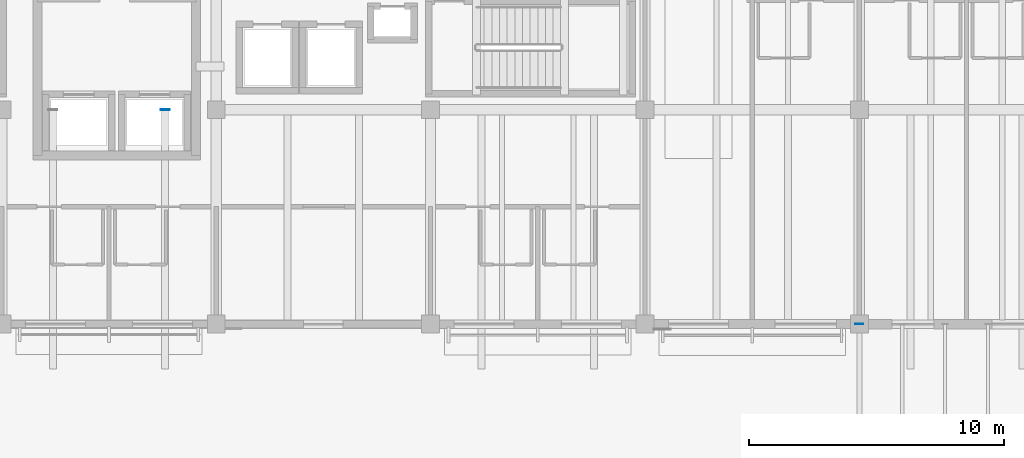
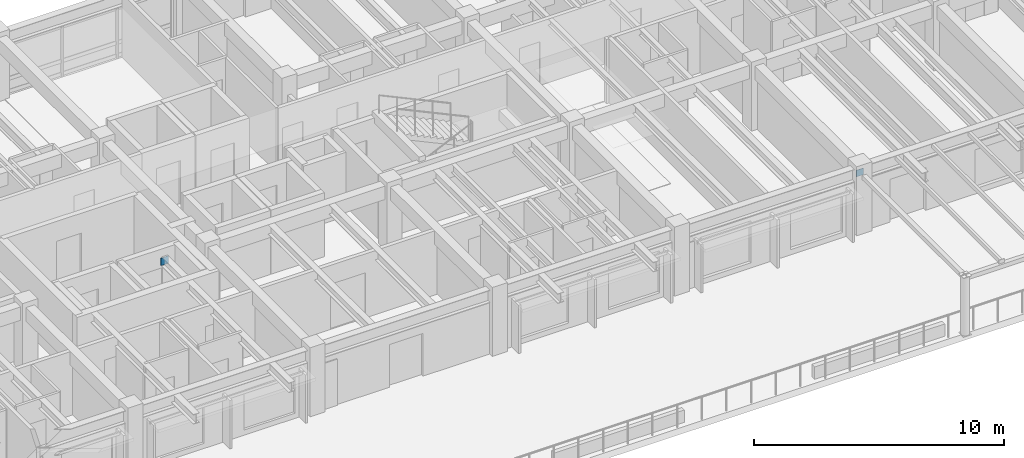
# One storey, part 73 of 111: 2 plates.
"""IFC4 building model written with IfcOpenShell, lengths in metres."""

from ifc_helpers import new_model, si_unit, direction, frame, origin, origin_2d, place, context, subcontext, project, spatial, rectangle, extrude, material, layer, layer_set, type_object, element, save


model = new_model("IFC4")

# Units and contexts
model_context = context("Model", 3, precision=1e-05, world=origin(), true_north=direction((0.0, 1.0)))
body_context = subcontext(model_context, "Body", "Model", "MODEL_VIEW")
ifc_project = project(units=[si_unit("LENGTHUNIT", "METRE"), si_unit("AREAUNIT", "SQUARE_METRE"), si_unit("VOLUMEUNIT", "CUBIC_METRE"), si_unit("PLANEANGLEUNIT", "RADIAN"), si_unit("MASSUNIT", "GRAM", prefix="KILO")], contexts=[model_context])

# Site, building, storey
site_placement = place(None, origin())
site = spatial("IfcSite", under=ifc_project, at=site_placement, CompositionType="ELEMENT")
building_placement = place(site_placement, origin())
building = spatial("IfcBuilding", under=site, at=building_placement, Name="Cumbredor Promenade Congress Hotel", CompositionType="ELEMENT")
storey_placement = place(building_placement, frame((0.0, 0.0, 15.1201171875)))
storey = spatial("IfcBuildingStorey", under=building, at=storey_placement, Name="L04", CompositionType="ELEMENT", Elevation=15.1201171875)

# Plates
ifc_material = material(Name="Steel ASTM A572 Grade 50", Category="steel")
ifc_layer_1 = layer(ifc_material, 0.02001953125, Name="Steel ASTM A572 Grade 50", Category="steel")
ifc_layer_set_1 = layer_set([ifc_layer_1], Name="Steel ASTM A572 Grade 50")
plate_type_1 = type_object("IfcPlateType", Name="Hollow Section End Cap Plate CP-05", PredefinedType="USERDEFINED", material=ifc_layer_set_1)
plate_1_placement = place(storey_placement, frame((58.800048828125, 92.407958984375, 2.58984375), z_axis=(0.0, 0.0, 1.0), x_axis=(0.0, 1.0, 0.0)))
element("IfcPlate", 1, at=plate_1_placement, inside=storey, type_object=plate_type_1, Name="L04 Sky-Garden Pergola Tie Beam 2W End Cap Plate", ObjectType="CAP PLATE", PredefinedType="USERDEFINED", context=body_context, shape_type="SweptSolid", body=[
    extrude(rectangle(XDim=0.02001953125, YDim=0.320068359375, at=origin_2d()), origin(), (0.0, 0.0, 1.0), 0.320068359375),
])
ifc_layer_2 = layer(ifc_material, 0.028076171875, Name="Steel ASTM A572 Grade 50", Category="steel")
ifc_layer_set_2 = layer_set([ifc_layer_2], Name="Steel ASTM A572 Grade 50")
plate_type_2 = type_object("IfcPlateType", Name="Space Frame Node Assembly ND-03", PredefinedType="USERDEFINED", material=ifc_layer_set_2)
plate_2_placement = place(storey_placement, frame((31.60009765625, 100.800048828125, 2.70849609375), z_axis=(0.0, 0.0, 1.0), x_axis=(1.0, 0.0, 0.0)))
element("IfcPlate", 2, at=plate_2_placement, inside=storey, type_object=plate_type_2, Name="L04 Outrigger Core Wall Embed Plate 030.2", ObjectType="GUSSET PLATE", PredefinedType="USERDEFINED", context=body_context, shape_type="SweptSolid", body=[
    extrude(rectangle(XDim=0.360107421875, YDim=0.028076171875, at=origin_2d()), origin(), (0.0, 0.0, 1.0), 0.360107421875),
])

save(model, "model.ifc")
